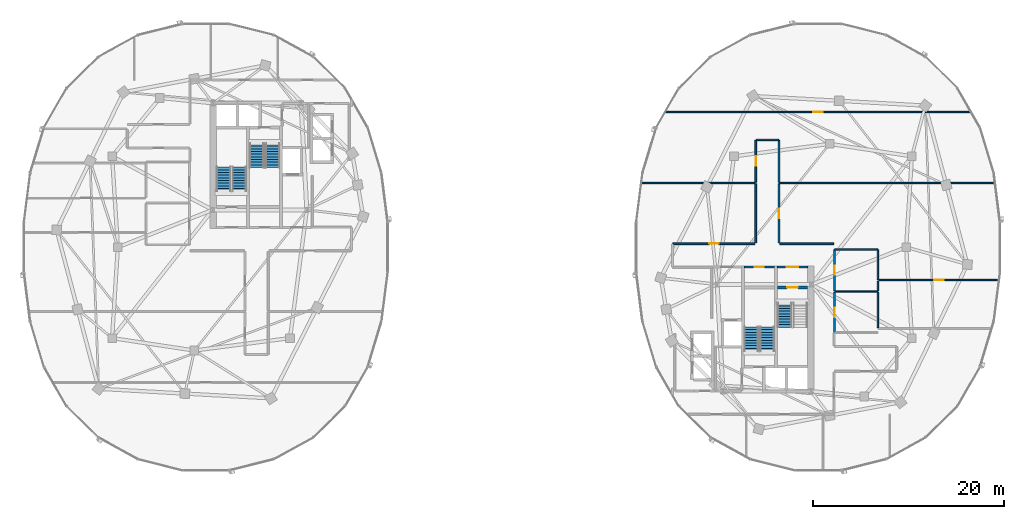
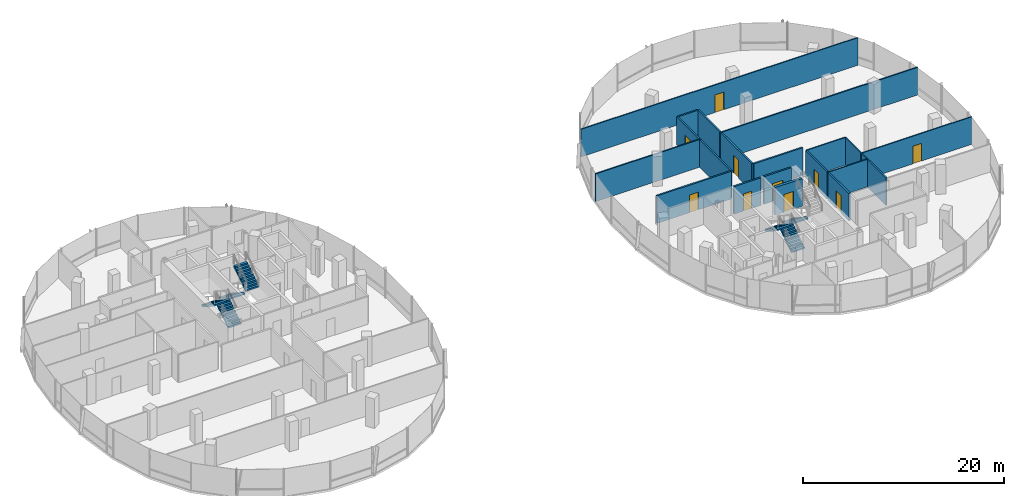
# One storey, part 15 of 23: 21 walls, 10 doors, 7 stair flights, 10 openings, 4 elements without a shape of their own.
"""IFC4 building model written with IfcOpenShell, lengths in metres."""

from ifc_helpers import new_model, si_unit, direction, frame, frame_2d, origin, place, context, subcontext, project, spatial, polyline, rectangle, outline, extrude, material, layer, layer_set, type_object, element, fill, aggregate, save


model = new_model("IFC4")

# Units and contexts
model_context = context("Model", 3, precision=1e-05, world=origin(), true_north=direction((0.0, 1.0)))
body_context = subcontext(model_context, "Body", "Model", "MODEL_VIEW")
ifc_project = project(units=[si_unit("LENGTHUNIT", "METRE"), si_unit("AREAUNIT", "SQUARE_METRE"), si_unit("VOLUMEUNIT", "CUBIC_METRE"), si_unit("PLANEANGLEUNIT", "RADIAN"), si_unit("MASSUNIT", "GRAM", prefix="KILO"), si_unit("THERMODYNAMICTEMPERATUREUNIT", "KELVIN"), si_unit("POWERUNIT", "WATT")], contexts=[model_context])

# Site, building, storey
site_placement = place(None, origin())
site = spatial("IfcSite", under=ifc_project, at=site_placement, CompositionType="ELEMENT")
building_placement = place(site_placement, origin())
building = spatial("IfcBuilding", under=site, at=building_placement, Name="Cundina Bronze Exchange", CompositionType="ELEMENT")
storey_placement = place(building_placement, frame((0.0, 0.0, 172.800048828125)))
storey = spatial("IfcBuildingStorey", under=building, at=storey_placement, Name="L45", CompositionType="ELEMENT", Elevation=172.800048828125)

# Wall, opening, door
ifc_material_1 = material(Name="Gypsum Fireboard Partition EI120")
ifc_layer_1 = layer(ifc_material_1, 0.179931640625, Name="Gypsum Fireboard Partition EI120")
ifc_layer_set_1 = layer_set([ifc_layer_1], Name="Gypsum Fireboard Partition EI120")
wall_type_1 = type_object("IfcWallType", Name="WL-COR-180", PredefinedType="PARTITIONING", material=ifc_layer_set_1)
wall_1_placement = place(storey_placement, frame((27.739990234375, -2.06005859375, 0.0), z_axis=(0.0, 0.0, 1.0), x_axis=(1.0, 0.0, 0.0)))
wall_1 = element("IfcWall", 1, at=wall_1_placement, inside=storey, type_object=wall_type_1, Name="L45 E Stair Vestibule Exit Wall", PredefinedType="PARTITIONING", context=body_context, shape_type="SweptSolid", body=[
    extrude(rectangle(XDim=3.159912109375, YDim=0.179931640625, at=frame_2d((1.580078125, 0.0))), origin(), (0.0, 0.0, 1.0), 3.35986328125),
])
opening_1_placement = place(wall_1_placement, frame((0.97998046875, 0.0, 0.0)))
opening_1 = element("IfcOpeningElement", 2, at=opening_1_placement, cuts=wall_1, Name="Opening DF-01", PredefinedType="OPENING", context=body_context, shape_type="SweptSolid", body=[
    extrude(rectangle(XDim=1.199951171875, YDim=2.14990234375, at=frame_2d((0.60009765625, 1.074951171875))), frame((0.0, 0.099853515625, 0.0), z_axis=(0.0, -1.0, 0.0), x_axis=(1.0, 0.0, 0.0)), (0.0, 0.0, 1.0), 0.199951171875),
])
ifc_material_2 = material(Name="Steel ASTM A36 Painted", Category="steel")
door_type_1 = type_object("IfcDoorType", Name="DR-FFL-1200", OperationType="NOTDEFINED", PredefinedType="DOOR", material=ifc_material_2)
door_1_placement = place(opening_1_placement, origin())
door_1 = element("IfcDoor", 3, at=door_1_placement, inside=storey, type_object=door_type_1, Name="L45 E Stair Vestibule Door", OperationType="SINGLE_SWING_RIGHT", OverallHeight=2.14990234375, OverallWidth=1.199951171875, PredefinedType="DOOR", context=body_context, shape_type="SweptSolid", body=[
    extrude(rectangle(XDim=1.199951171875, YDim=2.14990234375, at=frame_2d((0.60009765625, 1.074951171875))), frame((0.0, 0.02490234375, 0.0), z_axis=(0.0, -1.0, 0.0), x_axis=(1.0, 0.0, 0.0)), (0.0, 0.0, 1.0), 0.050048828125),
])
fill(opening_1, door_1)

wall_2_placement = place(storey_placement, frame((24.300048828125, -2.070068359375, 0.0), z_axis=(0.0, 0.0, 1.0), x_axis=(1.0, 0.0, 0.0)))
wall_2 = element("IfcWall", 4, at=wall_2_placement, inside=storey, type_object=wall_type_1, Name="L45 Interior Partition 051", PredefinedType="PARTITIONING", context=body_context, shape_type="SweptSolid", body=[
    extrude(rectangle(XDim=3.119873046875, YDim=0.179931640625, at=frame_2d((1.56005859375, 0.0))), origin(), (0.0, 0.0, 1.0), 3.35986328125),
])
opening_2_placement = place(wall_2_placement, frame((1.0849609375, 0.0, 0.0)))
opening_2 = element("IfcOpeningElement", 5, at=opening_2_placement, cuts=wall_2, Name="Opening DW-01", PredefinedType="OPENING", context=body_context, shape_type="SweptSolid", body=[
    extrude(rectangle(XDim=0.949951171875, YDim=2.10009765625, at=frame_2d((0.47509765625, 1.050048828125))), frame((0.0, 0.099853515625, 0.0), z_axis=(0.0, -1.0, 0.0), x_axis=(1.0, 0.0, 0.0)), (0.0, 0.0, 1.0), 0.199951171875),
])
ifc_material_3 = material(Name="Solid Andean Oak Timber Grade A", Category="wood")
door_type_2 = type_object("IfcDoorType", Name="DR-WC-950", OperationType="NOTDEFINED", PredefinedType="DOOR", material=ifc_material_3)
door_2_placement = place(opening_2_placement, origin())
door_2 = element("IfcDoor", 6, at=door_2_placement, inside=storey, type_object=door_type_2, Name="L45 Interior Door 051", OperationType="SINGLE_SWING_LEFT", OverallHeight=2.10009765625, OverallWidth=0.949951171875, PredefinedType="DOOR", context=body_context, shape_type="SweptSolid", body=[
    extrude(rectangle(XDim=0.949951171875, YDim=2.10009765625, at=frame_2d((0.47509765625, 1.050048828125))), frame((0.0, 0.02490234375, 0.0), z_axis=(0.0, -1.0, 0.0), x_axis=(1.0, 0.0, 0.0)), (0.0, 0.0, 1.0), 0.050048828125),
])
fill(opening_2, door_2)

wall_3_placement = place(storey_placement, frame((33.719970703125, -4.530029296875, 0.0), z_axis=(0.0, 0.0, 1.0), x_axis=(0.0, 1.0, 0.0)))
wall_3 = element("IfcWall", 7, at=wall_3_placement, inside=storey, type_object=wall_type_1, Name="L45 Interior Partition 059", PredefinedType="PARTITIONING", context=body_context, shape_type="SweptSolid", body=[
    extrude(rectangle(XDim=4.260009765625, YDim=0.179931640625, at=frame_2d((2.1298828125, 0.0))), origin(), (0.0, 0.0, 1.0), 3.35986328125),
])
opening_3_placement = place(wall_3_placement, frame((1.655029296875, 0.0, 0.0)))
opening_3 = element("IfcOpeningElement", 8, at=opening_3_placement, cuts=wall_3, Name="Opening DW-01", PredefinedType="OPENING", context=body_context, shape_type="SweptSolid", body=[
    extrude(rectangle(XDim=0.949951171875, YDim=2.10009765625, at=frame_2d((0.47509765625, 1.050048828125))), frame((0.0, 0.099853515625, 0.0), z_axis=(0.0, -1.0, 0.0), x_axis=(1.0, 0.0, 0.0)), (0.0, 0.0, 1.0), 0.199951171875),
])
door_3_placement = place(opening_3_placement, origin())
door_3 = element("IfcDoor", 9, at=door_3_placement, inside=storey, type_object=door_type_2, Name="L45 Interior Door 059", OperationType="SINGLE_SWING_LEFT", OverallHeight=2.10009765625, OverallWidth=0.949951171875, PredefinedType="DOOR", context=body_context, shape_type="SweptSolid", body=[
    extrude(rectangle(XDim=0.949951171875, YDim=2.10009765625, at=frame_2d((0.47509765625, 1.050048828125))), frame((0.0, 0.02490234375, 0.0), z_axis=(0.0, -1.0, 0.0), x_axis=(1.0, 0.0, 0.0)), (0.0, 0.0, 1.0), 0.050048828125),
])
fill(opening_3, door_3)

wall_4_placement = place(storey_placement, frame((33.719970703125, -8.889892578125, 0.0), z_axis=(0.0, 0.0, 1.0), x_axis=(0.0, 1.0, 0.0)))
wall_4 = element("IfcWall", 10, at=wall_4_placement, inside=storey, type_object=wall_type_1, Name="L45 Interior Partition 060", PredefinedType="PARTITIONING", context=body_context, shape_type="SweptSolid", body=[
    extrude(rectangle(XDim=4.159912109375, YDim=0.179931640625, at=frame_2d((2.080078125, 0.0))), origin(), (0.0, 0.0, 1.0), 3.35986328125),
])
opening_4_placement = place(wall_4_placement, frame((1.580078125, 0.0, 0.0)))
opening_4 = element("IfcOpeningElement", 11, at=opening_4_placement, cuts=wall_4, Name="Opening DO-01", PredefinedType="OPENING", context=body_context, shape_type="SweptSolid", body=[
    extrude(rectangle(XDim=1.0, YDim=2.14990234375, at=frame_2d((0.5, 1.074951171875))), frame((0.0, 0.099853515625, 0.0), z_axis=(0.0, -1.0, 0.0), x_axis=(1.0, 0.0, 0.0)), (0.0, 0.0, 1.0), 0.199951171875),
])
door_type_3 = type_object("IfcDoorType", Name="DR-OFF-1000", OperationType="NOTDEFINED", PredefinedType="DOOR", material=ifc_material_3)
door_4_placement = place(opening_4_placement, origin())
door_4 = element("IfcDoor", 12, at=door_4_placement, inside=storey, type_object=door_type_3, Name="L45 Interior Door 060", OperationType="SINGLE_SWING_LEFT", OverallHeight=2.14990234375, OverallWidth=1.0, PredefinedType="DOOR", context=body_context, shape_type="SweptSolid", body=[
    extrude(rectangle(XDim=1.0, YDim=2.14990234375, at=frame_2d((0.5, 1.074951171875))), frame((0.0, 0.02490234375, 0.0), z_axis=(0.0, -1.0, 0.0), x_axis=(1.0, 0.0, 0.0)), (0.0, 0.0, 1.0), 0.050048828125),
])
fill(opening_4, door_4)

wall_5_placement = place(storey_placement, frame((25.39990234375, 0.3701171875, 0.0), z_axis=(0.0, 0.0, 1.0), x_axis=(-1.0, 0.0, 0.0)))
wall_5 = element("IfcWall", 13, at=wall_5_placement, inside=storey, type_object=wall_type_1, Name="L45 Interior Partition 075", PredefinedType="PARTITIONING", context=body_context, shape_type="SweptSolid", body=[
    extrude(rectangle(XDim=8.578369140625, YDim=0.179931640625, at=frame_2d((4.2890625, 0.0))), origin(), (0.0, 0.0, 1.0), 3.35986328125),
])
opening_5_placement = place(wall_5_placement, frame((3.789306640625, 0.0, 0.0)))
opening_5 = element("IfcOpeningElement", 14, at=opening_5_placement, cuts=wall_5, Name="Opening DO-01", PredefinedType="OPENING", context=body_context, shape_type="SweptSolid", body=[
    extrude(rectangle(XDim=1.0, YDim=2.14990234375, at=frame_2d((0.5, 1.074951171875))), frame((0.0, 0.099853515625, 0.0), z_axis=(0.0, -1.0, 0.0), x_axis=(1.0, 0.0, 0.0)), (0.0, 0.0, 1.0), 0.199951171875),
])
door_5_placement = place(opening_5_placement, origin())
door_5 = element("IfcDoor", 15, at=door_5_placement, inside=storey, type_object=door_type_3, Name="L45 Interior Door 075", OperationType="SINGLE_SWING_LEFT", OverallHeight=2.14990234375, OverallWidth=1.0, PredefinedType="DOOR", context=body_context, shape_type="SweptSolid", body=[
    extrude(rectangle(XDim=1.0, YDim=2.14990234375, at=frame_2d((0.5, 1.074951171875))), frame((0.0, 0.02490234375, 0.0), z_axis=(0.0, -1.0, 0.0), x_axis=(1.0, 0.0, 0.0)), (0.0, 0.0, 1.0), 0.050048828125),
])
fill(opening_5, door_5)

# Wall
wall_6_placement = place(storey_placement, frame((25.47998046875, 6.6201171875, 0.0), z_axis=(0.0, 0.0, 1.0), x_axis=(0.0, -1.0, 0.0)))
element("IfcWall", 16, at=wall_6_placement, inside=storey, type_object=wall_type_1, Name="L45 Interior Partition 076", PredefinedType="PARTITIONING", context=body_context, shape_type="SweptSolid", body=[
    extrude(rectangle(XDim=6.170166015625, YDim=0.179931640625, at=frame_2d((3.0849609375, 0.0))), origin(), (0.0, 0.0, 1.0), 3.35986328125),
])

# Wall, opening, door
wall_7_placement = place(storey_placement, frame((27.919921875, 0.449951171875, 0.0), z_axis=(0.0, 0.0, 1.0), x_axis=(0.0, 1.0, 0.0)))
wall_7 = element("IfcWall", 17, at=wall_7_placement, inside=storey, type_object=wall_type_1, Name="L45 Interior Partition 080", PredefinedType="PARTITIONING", context=body_context, shape_type="SweptSolid", body=[
    extrude(rectangle(XDim=6.170166015625, YDim=0.179931640625, at=frame_2d((3.0849609375, 0.0))), origin(), (0.0, 0.0, 1.0), 3.35986328125),
])
opening_6_placement = place(wall_7_placement, frame((2.5849609375, 0.0, 0.0)))
opening_6 = element("IfcOpeningElement", 18, at=opening_6_placement, cuts=wall_7, Name="Opening DO-01", PredefinedType="OPENING", context=body_context, shape_type="SweptSolid", body=[
    extrude(rectangle(XDim=1.0, YDim=2.14990234375, at=frame_2d((0.5, 1.074951171875))), frame((0.0, 0.099853515625, 0.0), z_axis=(0.0, -1.0, 0.0), x_axis=(1.0, 0.0, 0.0)), (0.0, 0.0, 1.0), 0.199951171875),
])
door_6_placement = place(opening_6_placement, origin())
door_6 = element("IfcDoor", 19, at=door_6_placement, inside=storey, type_object=door_type_3, Name="L45 Interior Door 080", OperationType="SINGLE_SWING_RIGHT", OverallHeight=2.14990234375, OverallWidth=1.0, PredefinedType="DOOR", context=body_context, shape_type="SweptSolid", body=[
    extrude(rectangle(XDim=1.0, YDim=2.14990234375, at=frame_2d((0.5, 1.074951171875))), frame((0.0, 0.02490234375, 0.0), z_axis=(0.0, -1.0, 0.0), x_axis=(1.0, 0.0, 0.0)), (0.0, 0.0, 1.0), 0.050048828125),
])
fill(opening_6, door_6)

# Wall
wall_8_placement = place(storey_placement, frame((33.62841796875, 0.3701171875, 0.0), z_axis=(0.0, 0.0, 1.0), x_axis=(-1.0, 0.0, 0.0)))
element("IfcWall", 20, at=wall_8_placement, inside=storey, type_object=wall_type_1, Name="L45 Interior Partition 081", PredefinedType="PARTITIONING", context=body_context, shape_type="SweptSolid", body=[
    extrude(rectangle(XDim=5.62841796875, YDim=0.179931640625, at=frame_2d((2.814208984375, 0.0))), origin(), (0.0, 0.0, 1.0), 3.35986328125),
])

# Wall, opening, door
wall_9_placement = place(storey_placement, frame((25.47998046875, 11.178466796875, 0.0), z_axis=(0.0, 0.0, 1.0), x_axis=(0.0, -1.0, 0.0)))
wall_9 = element("IfcWall", 21, at=wall_9_placement, inside=storey, type_object=wall_type_1, Name="L45 Interior Partition 082", PredefinedType="PARTITIONING", context=body_context, shape_type="SweptSolid", body=[
    extrude(rectangle(XDim=4.37841796875, YDim=0.179931640625, at=frame_2d((2.189208984375, 0.0))), origin(), (0.0, 0.0, 1.0), 3.35986328125),
])
opening_7_placement = place(wall_9_placement, frame((1.689208984375, 0.0, 0.0)))
opening_7 = element("IfcOpeningElement", 22, at=opening_7_placement, cuts=wall_9, Name="Opening DO-01", PredefinedType="OPENING", context=body_context, shape_type="SweptSolid", body=[
    extrude(rectangle(XDim=1.0, YDim=2.14990234375, at=frame_2d((0.5, 1.074951171875))), frame((0.0, 0.099853515625, 0.0), z_axis=(0.0, -1.0, 0.0), x_axis=(1.0, 0.0, 0.0)), (0.0, 0.0, 1.0), 0.199951171875),
])
door_7_placement = place(opening_7_placement, origin())
door_7 = element("IfcDoor", 23, at=door_7_placement, inside=storey, type_object=door_type_3, Name="L45 Interior Door 082", OperationType="SINGLE_SWING_RIGHT", OverallHeight=2.14990234375, OverallWidth=1.0, PredefinedType="DOOR", context=body_context, shape_type="SweptSolid", body=[
    extrude(rectangle(XDim=1.0, YDim=2.14990234375, at=frame_2d((0.5, 1.074951171875))), frame((0.0, 0.02490234375, 0.0), z_axis=(0.0, -1.0, 0.0), x_axis=(1.0, 0.0, 0.0)), (0.0, 0.0, 1.0), 0.050048828125),
])
fill(opening_7, door_7)

# Walls
wall_10_placement = place(storey_placement, frame((27.919921875, 6.800048828125, 0.0), z_axis=(0.0, 0.0, 1.0), x_axis=(0.0, 1.0, 0.0)))
element("IfcWall", 24, at=wall_10_placement, inside=storey, type_object=wall_type_1, Name="L45 Interior Partition 083", PredefinedType="PARTITIONING", context=body_context, shape_type="SweptSolid", body=[
    extrude(rectangle(XDim=4.37841796875, YDim=0.179931640625, at=frame_2d((2.189208984375, 0.0))), origin(), (0.0, 0.0, 1.0), 3.35986328125),
])
wall_11_placement = place(storey_placement, frame((27.87841796875, 11.219970703125, 0.0), z_axis=(0.0, 0.0, 1.0), x_axis=(-1.0, 0.0, 0.0)))
element("IfcWall", 25, at=wall_11_placement, inside=storey, type_object=wall_type_1, Name="L45 Interior Partition 084", PredefinedType="PARTITIONING", context=body_context, shape_type="SweptSolid", body=[
    extrude(rectangle(XDim=2.35693359375, YDim=0.179931640625, at=frame_2d((1.178466796875, 0.0))), origin(), (0.0, 0.0, 1.0), 3.35986328125),
])

# Wall, opening, door
ifc_material_4 = material(Name="Gypsum Acoustic Partition EI60")
ifc_layer_2 = layer(ifc_material_4, 0.125, Name="Gypsum Acoustic Partition EI60")
ifc_layer_set_2 = layer_set([ifc_layer_2], Name="Gypsum Acoustic Partition EI60")
wall_type_2 = type_object("IfcWallType", Name="WL-OFF-125", PredefinedType="PARTITIONING", material=ifc_layer_set_2)
wall_12_placement = place(storey_placement, frame((38.320068359375, -3.429931640625, 0.0), z_axis=(0.0, 0.0, 1.0), x_axis=(1.0, 0.0, 0.0)))
wall_12 = element("IfcWall", 26, at=wall_12_placement, inside=storey, type_object=wall_type_2, Name="L45 Interior Partition 085", PredefinedType="PARTITIONING", context=body_context, shape_type="SweptSolid", body=[
    extrude(rectangle(XDim=12.58544921875, YDim=0.125, at=frame_2d((6.292724609375, 0.0))), origin(), (0.0, 0.0, 1.0), 3.35986328125),
])
opening_8_placement = place(wall_12_placement, frame((5.792724609375, 0.0, 0.0)))
opening_8 = element("IfcOpeningElement", 27, at=opening_8_placement, cuts=wall_12, Name="Opening DO-01", PredefinedType="OPENING", context=body_context, shape_type="SweptSolid", body=[
    extrude(rectangle(XDim=1.0, YDim=2.14990234375, at=frame_2d((0.5, 1.074951171875))), frame((0.0, 0.072509765625, 0.0), z_axis=(0.0, -1.0, 0.0), x_axis=(1.0, 0.0, 0.0)), (0.0, 0.0, 1.0), 0.14501953125),
])
door_8_placement = place(opening_8_placement, origin())
door_8 = element("IfcDoor", 28, at=door_8_placement, inside=storey, type_object=door_type_3, Name="L45 Interior Door 085", OperationType="SINGLE_SWING_RIGHT", OverallHeight=2.14990234375, OverallWidth=1.0, PredefinedType="DOOR", context=body_context, shape_type="SweptSolid", body=[
    extrude(rectangle(XDim=1.0, YDim=2.14990234375, at=frame_2d((0.5, 1.074951171875))), frame((0.0, 0.02490234375, 0.0), z_axis=(0.0, -1.0, 0.0), x_axis=(1.0, 0.0, 0.0)), (0.0, 0.0, 1.0), 0.050048828125),
])
fill(opening_8, door_8)

wall_13_placement = place(storey_placement, frame((47.929931640625, 14.139892578125, 0.0), z_axis=(0.0, 0.0, 1.0), x_axis=(-1.0, 0.0, 0.0)))
wall_13 = element("IfcWall", 29, at=wall_13_placement, inside=storey, type_object=wall_type_2, Name="L45 Interior Partition 086", PredefinedType="PARTITIONING", context=body_context, shape_type="SweptSolid", body=[
    extrude(rectangle(XDim=31.85986328125, YDim=0.125, at=frame_2d((15.929931640625, 0.0))), origin(), (0.0, 0.0, 1.0), 3.35986328125),
])
opening_9_placement = place(wall_13_placement, frame((15.429931640625, 0.0, 0.0)))
opening_9 = element("IfcOpeningElement", 30, at=opening_9_placement, cuts=wall_13, Name="Opening DO-01", PredefinedType="OPENING", context=body_context, shape_type="SweptSolid", body=[
    extrude(rectangle(XDim=1.0, YDim=2.14990234375, at=frame_2d((0.5, 1.074951171875))), frame((0.0, 0.072509765625, 0.0), z_axis=(0.0, -1.0, 0.0), x_axis=(1.0, 0.0, 0.0)), (0.0, 0.0, 1.0), 0.14501953125),
])
door_9_placement = place(opening_9_placement, origin())
door_9 = element("IfcDoor", 31, at=door_9_placement, inside=storey, type_object=door_type_3, Name="L45 Interior Door 086", OperationType="SINGLE_SWING_RIGHT", OverallHeight=2.14990234375, OverallWidth=1.0, PredefinedType="DOOR", context=body_context, shape_type="SweptSolid", body=[
    extrude(rectangle(XDim=1.0, YDim=2.14990234375, at=frame_2d((0.5, 1.074951171875))), frame((0.0, 0.02490234375, 0.0), z_axis=(0.0, -1.0, 0.0), x_axis=(1.0, 0.0, 0.0)), (0.0, 0.0, 1.0), 0.050048828125),
])
fill(opening_9, door_9)

ifc_material_5 = material(Name="Concrete C50/60", Category="concrete")
ifc_layer_3 = layer(ifc_material_5, 0.300048828125, Name="Concrete C50/60", Category="concrete")
ifc_layer_set_3 = layer_set([ifc_layer_3], Name="Concrete C50/60")
wall_type_3 = type_object("IfcWallType", Name="WL-SHFT-300", PredefinedType="SHEAR", material=ifc_layer_set_3)
wall_14_placement = place(storey_placement, frame((27.739990234375, -4.199951171875, 0.0), z_axis=(0.0, 0.0, 1.0), x_axis=(1.0, 0.0, 0.0)))
wall_14 = element("IfcWall", 32, at=wall_14_placement, inside=storey, type_object=wall_type_3, Name="L45 Stair E1 Landing Wall", PredefinedType="SHEAR", context=body_context, shape_type="SweptSolid", body=[
    extrude(rectangle(XDim=3.159912109375, YDim=0.300048828125, at=frame_2d((1.580078125, 0.0))), origin(), (0.0, 0.0, 1.0), 3.35986328125),
])
opening_10_placement = place(wall_14_placement, frame((1.030029296875, 0.0, 0.0)))
opening_10 = element("IfcOpeningElement", 33, at=opening_10_placement, cuts=wall_14, Name="Opening DS-01", PredefinedType="OPENING", context=body_context, shape_type="SweptSolid", body=[
    extrude(rectangle(XDim=1.10009765625, YDim=2.14990234375, at=frame_2d((0.550048828125, 1.074951171875))), frame((0.0, 0.159912109375, 0.0), z_axis=(0.0, -1.0, 0.0), x_axis=(1.0, 0.0, 0.0)), (0.0, 0.0, 1.0), 0.320068359375),
])
door_type_4 = type_object("IfcDoorType", Name="DR-STR-1100", OperationType="NOTDEFINED", PredefinedType="DOOR", material=ifc_material_2)
door_10_placement = place(opening_10_placement, origin())
door_10 = element("IfcDoor", 34, at=door_10_placement, inside=storey, type_object=door_type_4, Name="L45 Smokeproof Stair E1 Door", OperationType="SINGLE_SWING_LEFT", OverallHeight=2.14990234375, OverallWidth=1.10009765625, PredefinedType="DOOR", context=body_context, shape_type="SweptSolid", body=[
    extrude(rectangle(XDim=1.10009765625, YDim=2.14990234375, at=frame_2d((0.550048828125, 1.074951171875))), frame((0.0, 0.02490234375, 0.0), z_axis=(0.0, -1.0, 0.0), x_axis=(1.0, 0.0, 0.0)), (0.0, 0.0, 1.0), 0.050048828125),
])
fill(opening_10, door_10)

# Walls
ifc_layer_4 = layer(ifc_material_4, 0.14990234375, Name="Gypsum Acoustic Partition EI60")
ifc_layer_set_4 = layer_set([ifc_layer_4], Name="Gypsum Acoustic Partition EI60")
wall_type_4 = type_object("IfcWallType", Name="WL-TEN-150", PredefinedType="PARTITIONING", material=ifc_layer_set_4)
wall_15_placement = place(storey_placement, frame((13.447021484375, 6.7099609375, 0.0), z_axis=(0.0, 0.0, 1.0), x_axis=(1.0, 0.0, 0.0)))
element("IfcWall", 35, at=wall_15_placement, inside=storey, type_object=wall_type_4, Name="L45 Interior Partition 061", PredefinedType="PARTITIONING", context=body_context, shape_type="SweptSolid", body=[
    extrude(rectangle(XDim=12.0029296875, YDim=0.14990234375, at=frame_2d((6.00146484375, 0.0))), origin(), (0.0, 0.0, 1.0), 3.35986328125),
])
wall_16_placement = place(storey_placement, frame((27.949951171875, 6.7099609375, 0.0), z_axis=(0.0, 0.0, 1.0), x_axis=(1.0, 0.0, 0.0)))
element("IfcWall", 36, at=wall_16_placement, inside=storey, type_object=wall_type_4, Name="L45 Interior Partition 062", PredefinedType="PARTITIONING", context=body_context, shape_type="SweptSolid", body=[
    extrude(rectangle(XDim=22.60302734375, YDim=0.14990234375, at=frame_2d((11.301513671875, 0.0))), origin(), (0.0, 0.0, 1.0), 3.35986328125),
])
ifc_material_6 = material(Name="Moisture-Resistant Masonry Block Grade M15", Category="masonry")
ifc_layer_5 = layer(ifc_material_6, 0.139892578125, Name="Moisture-Resistant Masonry Block Grade M15", Category="masonry")
ifc_layer_set_5 = layer_set([ifc_layer_5], Name="Moisture-Resistant Masonry Block Grade M15")
wall_type_5 = type_object("IfcWallType", Name="WL-WET-140", PredefinedType="PARTITIONING", material=ifc_layer_set_5)
wall_17_placement = place(storey_placement, frame((38.239990234375, -8.39501953125, 0.0), z_axis=(0.0, 0.0, 1.0), x_axis=(0.0, 1.0, 0.0)))
element("IfcWall", 37, at=wall_17_placement, inside=storey, type_object=wall_type_5, Name="L45 Interior Partition 053", PredefinedType="PARTITIONING", context=body_context, shape_type="SweptSolid", body=[
    extrude(rectangle(XDim=3.679931640625, YDim=0.139892578125, at=frame_2d((1.83984375, 0.0))), origin(), (0.0, 0.0, 1.0), 3.35986328125),
])
wall_18_placement = place(storey_placement, frame((38.239990234375, -4.544921875, 0.0), z_axis=(0.0, 0.0, 1.0), x_axis=(0.0, 1.0, 0.0)))
element("IfcWall", 38, at=wall_18_placement, inside=storey, type_object=wall_type_5, Name="L45 Interior Partition 054", PredefinedType="PARTITIONING", context=body_context, shape_type="SweptSolid", body=[
    extrude(rectangle(XDim=0.97998046875, YDim=0.139892578125, at=frame_2d((0.489990234375, 0.0))), origin(), (0.0, 0.0, 1.0), 3.35986328125),
])
wall_19_placement = place(storey_placement, frame((38.239990234375, -3.39501953125, 0.0), z_axis=(0.0, 0.0, 1.0), x_axis=(0.0, 1.0, 0.0)))
element("IfcWall", 39, at=wall_19_placement, inside=storey, type_object=wall_type_5, Name="L45 Interior Partition 055", PredefinedType="PARTITIONING", context=body_context, shape_type="SweptSolid", body=[
    extrude(rectangle(XDim=3.125, YDim=0.139892578125, at=frame_2d((1.5625, 0.0))), origin(), (0.0, 0.0, 1.0), 3.35986328125),
])
for number, where, z_axis, x_axis, name in (
    (40, (33.739990234375, -0.25, 0.0), (0.0, 0.0, 1.0), (1.0, 0.0, 0.0), "L45 Interior Partition 056"),
    (41, (33.739990234375, -4.6298828125, 0.0), (0.0, 0.0, 1.0), (1.0, 0.0, 0.0), "L45 Interior Partition 057"),
):
    element("IfcWall", number, at=place(storey_placement, frame(where, z_axis=z_axis, x_axis=x_axis)), inside=storey, type_object=wall_type_5, Name=name, PredefinedType="PARTITIONING", context=body_context, shape_type="SweptSolid", body=[
        extrude(rectangle(XDim=4.47998046875, YDim=0.139892578125, at=frame_2d((2.239990234375, 0.0))), origin(), (0.0, 0.0, 1.0), 3.35986328125),
    ])

# Stair, stair flights
ifc_material_7 = material(Name="Concrete C40/50", Category="concrete")
stair_type = type_object("IfcStairType", Name="STR-OFF-360", PredefinedType="HALF_TURN_STAIR", material=ifc_material_7)
stair_1_placement = place(storey_placement, origin())
stair_1 = element("IfcStair", 42, at=stair_1_placement, inside=storey, type_object=stair_type, Name="L45 Smokeproof Exit Stair W1", PredefinedType="HALF_TURN_STAIR")
stair_flight_type = type_object("IfcStairFlightType", Name="FLG-OFF-180", PredefinedType="STRAIGHT", material=ifc_material_7)
stair_flight_1_placement = place(storey_placement, frame((-28.489990234375, 5.85009765625, 0.0), z_axis=(0.0, 0.0, 1.0), x_axis=(0.0, 1.0, 0.0)))
stair_flight_1 = element("IfcStairFlight", 43, at=stair_flight_1_placement, type_object=stair_flight_type, Name="ST-W1 flight 1", NumberOfRisers=10, NumberOfTreads=9, PredefinedType="STRAIGHT", RiserHeight=0.18, TreadLength=0.28, context=body_context, shape_type="SweptSolid", body=[
    extrude(outline(polyline([(0.0, 0.0), (0.0, 0.179931640625), (0.280029296875, 0.179931640625), (0.280029296875, 0.360107421875), (0.56005859375, 0.360107421875), (0.56005859375, 0.5400390625), (0.840087890625, 0.5400390625), (0.840087890625, 0.719970703125), (1.1201171875, 0.719970703125), (1.1201171875, 0.89990234375), (1.39990234375, 0.89990234375), (1.39990234375, 1.080078125), (1.679931640625, 1.080078125), (1.679931640625, 1.260009765625), (1.9599609375, 1.260009765625), (1.9599609375, 1.43994140625), (2.239990234375, 1.43994140625), (2.239990234375, 1.6201171875), (2.52001953125, 1.6201171875), (2.52001953125, 1.800048828125), (2.52001953125, 1.44189453125), (0.277099609375, 0.0), (0.0, 0.0)])), frame((0.0, 0.75, 0.0), z_axis=(0.0, -1.0, 0.0), x_axis=(1.0, 0.0, 0.0)), (0.0, 0.0, 1.0), 1.5),
])
stair_flight_2_placement = place(storey_placement, frame((-30.14990234375, 8.3701171875, 1.800048828125), z_axis=(0.0, 0.0, 1.0), x_axis=(0.0, -1.0, 0.0)))
stair_flight_2 = element("IfcStairFlight", 44, at=stair_flight_2_placement, type_object=stair_flight_type, Name="ST-W1 flight 2", NumberOfRisers=10, NumberOfTreads=9, PredefinedType="STRAIGHT", RiserHeight=0.18, TreadLength=0.28, context=body_context, shape_type="SweptSolid", body=[
    extrude(outline(polyline([(0.0, 0.0), (0.0, 0.179931640625), (0.280029296875, 0.179931640625), (0.280029296875, 0.360107421875), (0.56005859375, 0.360107421875), (0.56005859375, 0.5400390625), (0.840087890625, 0.5400390625), (0.840087890625, 0.719970703125), (1.1201171875, 0.719970703125), (1.1201171875, 0.89990234375), (1.39990234375, 0.89990234375), (1.39990234375, 1.080078125), (1.679931640625, 1.080078125), (1.679931640625, 1.260009765625), (1.9599609375, 1.260009765625), (1.9599609375, 1.43994140625), (2.239990234375, 1.43994140625), (2.239990234375, 1.6201171875), (2.52001953125, 1.6201171875), (2.52001953125, 1.800048828125), (2.52001953125, 1.44189453125), (0.277099609375, 0.0), (0.0, 0.0)])), frame((0.0, 0.75, 0.0), z_axis=(0.0, -1.0, 0.0), x_axis=(1.0, 0.0, 0.0)), (0.0, 0.0, 1.0), 1.5),
])
aggregate(stair_1, [stair_flight_1, stair_flight_2])

stair_2_placement = place(storey_placement, origin())
stair_2 = element("IfcStair", 45, at=stair_2_placement, inside=storey, type_object=stair_type, Name="L45 Smokeproof Exit Stair W2", PredefinedType="HALF_TURN_STAIR")
stair_flight_3_placement = place(storey_placement, frame((-26.68994140625, 10.85009765625, 0.0), z_axis=(0.0, 0.0, 1.0), x_axis=(0.0, -1.0, 0.0)))
stair_flight_3 = element("IfcStairFlight", 46, at=stair_flight_3_placement, type_object=stair_flight_type, Name="ST-W2 flight 1", NumberOfRisers=10, NumberOfTreads=9, PredefinedType="STRAIGHT", RiserHeight=0.18, TreadLength=0.28, context=body_context, shape_type="SweptSolid", body=[
    extrude(outline(polyline([(0.0, 0.0), (0.0, 0.179931640625), (0.280029296875, 0.179931640625), (0.280029296875, 0.360107421875), (0.56005859375, 0.360107421875), (0.56005859375, 0.5400390625), (0.840087890625, 0.5400390625), (0.840087890625, 0.719970703125), (1.1201171875, 0.719970703125), (1.1201171875, 0.89990234375), (1.39990234375, 0.89990234375), (1.39990234375, 1.080078125), (1.679931640625, 1.080078125), (1.679931640625, 1.260009765625), (1.9599609375, 1.260009765625), (1.9599609375, 1.43994140625), (2.239990234375, 1.43994140625), (2.239990234375, 1.6201171875), (2.52001953125, 1.6201171875), (2.52001953125, 1.800048828125), (2.52001953125, 1.44189453125), (0.277099609375, 0.0), (0.0, 0.0)])), frame((0.0, 0.75, 0.0), z_axis=(0.0, -1.0, 0.0), x_axis=(1.0, 0.0, 0.0)), (0.0, 0.0, 1.0), 1.5),
])
stair_flight_4_placement = place(storey_placement, frame((-25.030029296875, 8.330078125, 1.800048828125), z_axis=(0.0, 0.0, 1.0), x_axis=(0.0, 1.0, 0.0)))
stair_flight_4 = element("IfcStairFlight", 47, at=stair_flight_4_placement, type_object=stair_flight_type, Name="ST-W2 flight 2", NumberOfRisers=10, NumberOfTreads=9, PredefinedType="STRAIGHT", RiserHeight=0.18, TreadLength=0.28, context=body_context, shape_type="SweptSolid", body=[
    extrude(outline(polyline([(0.0, 0.0), (0.0, 0.179931640625), (0.280029296875, 0.179931640625), (0.280029296875, 0.360107421875), (0.56005859375, 0.360107421875), (0.56005859375, 0.5400390625), (0.840087890625, 0.5400390625), (0.840087890625, 0.719970703125), (1.1201171875, 0.719970703125), (1.1201171875, 0.89990234375), (1.39990234375, 0.89990234375), (1.39990234375, 1.080078125), (1.679931640625, 1.080078125), (1.679931640625, 1.260009765625), (1.9599609375, 1.260009765625), (1.9599609375, 1.43994140625), (2.239990234375, 1.43994140625), (2.239990234375, 1.6201171875), (2.52001953125, 1.6201171875), (2.52001953125, 1.800048828125), (2.52001953125, 1.44189453125), (0.277099609375, 0.0), (0.0, 0.0)])), frame((0.0, 0.75, 0.0), z_axis=(0.0, -1.0, 0.0), x_axis=(1.0, 0.0, 0.0)), (0.0, 0.0, 1.0), 1.5),
])
aggregate(stair_2, [stair_flight_3, stair_flight_4])

# Stair, stair flight
stair_3_placement = place(storey_placement, origin())
stair_3 = element("IfcStair", 48, at=stair_3_placement, inside=storey, type_object=stair_type, Name="L45 Smokeproof Exit Stair E1", PredefinedType="HALF_TURN_STAIR")
stair_flight_5_placement = place(storey_placement, frame((28.489990234375, -5.85009765625, 0.0), z_axis=(0.0, 0.0, 1.0), x_axis=(0.0, -1.0, 0.0)))
stair_flight_5 = element("IfcStairFlight", 49, at=stair_flight_5_placement, type_object=stair_flight_type, Name="ST-E1 flight 1", NumberOfRisers=10, NumberOfTreads=9, PredefinedType="STRAIGHT", RiserHeight=0.18, TreadLength=0.28, context=body_context, shape_type="SweptSolid", body=[
    extrude(outline(polyline([(0.0, 0.0), (0.0, 0.179931640625), (0.280029296875, 0.179931640625), (0.280029296875, 0.360107421875), (0.56005859375, 0.360107421875), (0.56005859375, 0.5400390625), (0.840087890625, 0.5400390625), (0.840087890625, 0.719970703125), (1.1201171875, 0.719970703125), (1.1201171875, 0.89990234375), (1.39990234375, 0.89990234375), (1.39990234375, 1.080078125), (1.679931640625, 1.080078125), (1.679931640625, 1.260009765625), (1.9599609375, 1.260009765625), (1.9599609375, 1.43994140625), (2.239990234375, 1.43994140625), (2.239990234375, 1.6201171875), (2.52001953125, 1.6201171875), (2.52001953125, 1.800048828125), (2.52001953125, 1.44189453125), (0.277099609375, 0.0), (0.0, 0.0)])), frame((0.0, 0.75, 0.0), z_axis=(0.0, -1.0, 0.0), x_axis=(1.0, 0.0, 0.0)), (0.0, 0.0, 1.0), 1.5),
])
aggregate(stair_3, [stair_flight_5])

# Stair, stair flights
stair_4_placement = place(storey_placement, origin())
stair_4 = element("IfcStair", 50, at=stair_4_placement, inside=storey, type_object=stair_type, Name="L45 Smokeproof Exit Stair E2", PredefinedType="HALF_TURN_STAIR")
stair_flight_6_placement = place(storey_placement, frame((26.68994140625, -10.85009765625, 0.0), z_axis=(0.0, 0.0, 1.0), x_axis=(0.0, 1.0, 0.0)))
stair_flight_6 = element("IfcStairFlight", 51, at=stair_flight_6_placement, type_object=stair_flight_type, Name="ST-E2 flight 1", NumberOfRisers=10, NumberOfTreads=9, PredefinedType="STRAIGHT", RiserHeight=0.18, TreadLength=0.28, context=body_context, shape_type="SweptSolid", body=[
    extrude(outline(polyline([(0.0, 0.0), (0.0, 0.179931640625), (0.280029296875, 0.179931640625), (0.280029296875, 0.360107421875), (0.56005859375, 0.360107421875), (0.56005859375, 0.5400390625), (0.840087890625, 0.5400390625), (0.840087890625, 0.719970703125), (1.1201171875, 0.719970703125), (1.1201171875, 0.89990234375), (1.39990234375, 0.89990234375), (1.39990234375, 1.080078125), (1.679931640625, 1.080078125), (1.679931640625, 1.260009765625), (1.9599609375, 1.260009765625), (1.9599609375, 1.43994140625), (2.239990234375, 1.43994140625), (2.239990234375, 1.6201171875), (2.52001953125, 1.6201171875), (2.52001953125, 1.800048828125), (2.52001953125, 1.44189453125), (0.277099609375, 0.0), (0.0, 0.0)])), frame((0.0, 0.75, 0.0), z_axis=(0.0, -1.0, 0.0), x_axis=(1.0, 0.0, 0.0)), (0.0, 0.0, 1.0), 1.5),
])
stair_flight_7_placement = place(storey_placement, frame((25.030029296875, -8.330078125, 1.800048828125), z_axis=(0.0, 0.0, 1.0), x_axis=(0.0, -1.0, 0.0)))
stair_flight_7 = element("IfcStairFlight", 52, at=stair_flight_7_placement, type_object=stair_flight_type, Name="ST-E2 flight 2", NumberOfRisers=10, NumberOfTreads=9, PredefinedType="STRAIGHT", RiserHeight=0.18, TreadLength=0.28, context=body_context, shape_type="SweptSolid", body=[
    extrude(outline(polyline([(0.0, 0.0), (0.0, 0.179931640625), (0.280029296875, 0.179931640625), (0.280029296875, 0.360107421875), (0.56005859375, 0.360107421875), (0.56005859375, 0.5400390625), (0.840087890625, 0.5400390625), (0.840087890625, 0.719970703125), (1.1201171875, 0.719970703125), (1.1201171875, 0.89990234375), (1.39990234375, 0.89990234375), (1.39990234375, 1.080078125), (1.679931640625, 1.080078125), (1.679931640625, 1.260009765625), (1.9599609375, 1.260009765625), (1.9599609375, 1.43994140625), (2.239990234375, 1.43994140625), (2.239990234375, 1.6201171875), (2.52001953125, 1.6201171875), (2.52001953125, 1.800048828125), (2.52001953125, 1.44189453125), (0.277099609375, 0.0), (0.0, 0.0)])), frame((0.0, 0.75, 0.0), z_axis=(0.0, -1.0, 0.0), x_axis=(1.0, 0.0, 0.0)), (0.0, 0.0, 1.0), 1.5),
])
aggregate(stair_4, [stair_flight_6, stair_flight_7])

save(model, "model.ifc")
